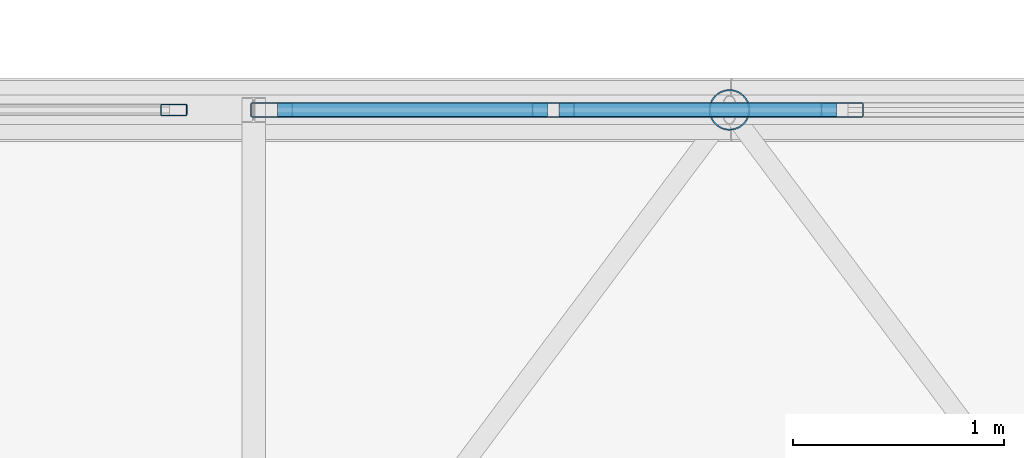
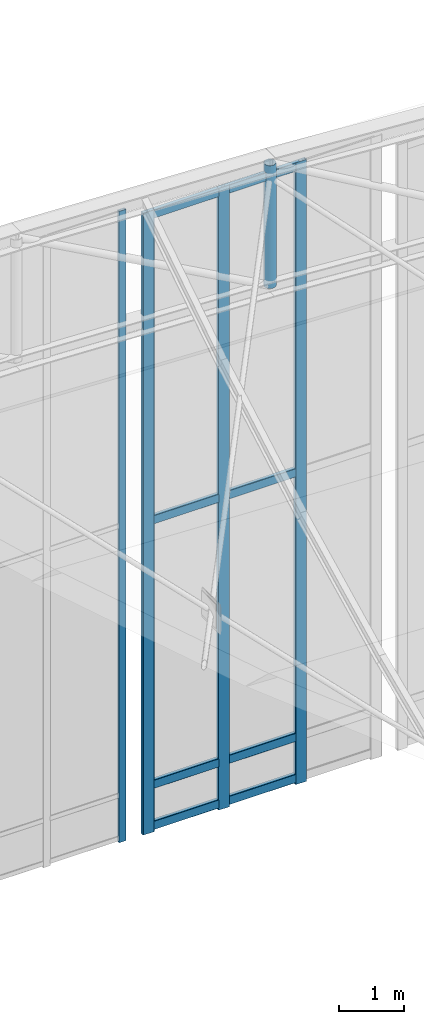
# One storey, part 198 of 262: 13 members, 2 elements without a shape of their own.
"""IFC4 building model written with IfcOpenShell, lengths in metres."""

import ifcopenshell
import ifcopenshell.guid

model = None  # the IFC model being written
_history = None  # IfcOwnerHistory: only IFC2X3 demands one
_inside = {}  # id of a spatial element -> (the spatial element, [elements in it])
_under = {}  # id of a project, library or spatial element -> (it, [spatial elements below it])
_declared = {}  # id of a project -> (the project, [libraries it declares])
_typed = {}  # id of a type object -> (the type object, [elements of that type])
_made_of = {}  # id of a material, layer set ... -> (it, [elements and type objects made of it])


def new_model(schema):
    """Start an empty IFC model of exactly this schema.

    Asked for "IFC4X3", IfcOpenShell would pick the latest addendum, in which some entities
    have other attributes; the version numbers below select the first issue.
    IFC2X3 requires an IfcOwnerHistory on every rooted entity: one is made here for all.
    """
    global model, _history
    if schema == "IFC4X3":
        model = ifcopenshell.file(schema_version=(4, 3, 0, 0))
    else:
        model = ifcopenshell.file(schema=schema)
    _inside.clear()
    _under.clear()
    _declared.clear()
    _typed.clear()
    _made_of.clear()
    _history = None
    if model.schema == "IFC2X3":
        org = make("IfcOrganization", Name="unknown")
        user = make(
            "IfcPersonAndOrganization",
            ThePerson=make("IfcPerson", FamilyName="unknown"),
            TheOrganization=org,
        )
        app = make(
            "IfcApplication",
            ApplicationDeveloper=org,
            Version="unknown",
            ApplicationFullName="unknown",
            ApplicationIdentifier="unknown",
        )
        _history = make(
            "IfcOwnerHistory",
            OwningUser=user,
            OwningApplication=app,
            ChangeAction="ADDED",
            CreationDate=0,
        )
    return model


def make(cls, **values):
    """One entity of the class cls with the attributes given. An attribute that is None is left unset."""
    return model.create_entity(
        cls, **{name: value for name, value in values.items() if value is not None}
    )


def rooted(cls, **values):
    """An entity with a GlobalId (a new one), such as an element, a storey or a relation."""
    return make(cls, GlobalId=ifcopenshell.guid.new(), OwnerHistory=_history, **values)


def si_unit(unit_type, name, prefix=None):
    """IfcSIUnit, for example si_unit("LENGTHUNIT", "METRE", prefix="MILLI")."""
    return make("IfcSIUnit", UnitType=unit_type, Prefix=prefix, Name=name)


def derived_unit(unit_type, elements):
    """IfcDerivedUnit: a product of units, each with its exponent."""
    return make(
        "IfcDerivedUnit",
        Elements=[
            make("IfcDerivedUnitElement", Unit=unit, Exponent=power)
            for unit, power in elements
        ],
        UnitType=unit_type,
    )


def assignment(units):
    """IfcUnitAssignment: the units of a project."""
    return None if units is None else make("IfcUnitAssignment", Units=units)


def point(xyz):
    """IfcCartesianPoint."""
    return None if xyz is None else make("IfcCartesianPoint", Coordinates=xyz)


def direction(xyz):
    """IfcDirection."""
    return None if xyz is None else make("IfcDirection", DirectionRatios=xyz)


def frame(location, z_axis=None, x_axis=None):
    """IfcAxis2Placement3D, a coordinate frame: its origin and axes. An axis left out is left unset."""
    return make(
        "IfcAxis2Placement3D",
        Location=point(location),
        Axis=direction(z_axis),
        RefDirection=direction(x_axis),
    )


def frame_2d(location, x_axis=None):
    """IfcAxis2Placement2D, a coordinate frame in the plane: its origin and x axis."""
    return make(
        "IfcAxis2Placement2D", Location=point(location), RefDirection=direction(x_axis)
    )


def origin():
    """The frame at (0, 0, 0) with its axes left unset."""
    return frame((0.0, 0.0, 0.0))


def origin_2d():
    """The frame at (0, 0) in the plane with its x axis left unset."""
    return frame_2d((0.0, 0.0))


def place(relative_to, where):
    """IfcLocalPlacement: puts the frame where relative to a parent placement (None: the world)."""
    return make(
        "IfcLocalPlacement", PlacementRelTo=relative_to, RelativePlacement=where
    )


def context(
    kind, dimensions, precision=None, world=None, true_north=None, identifier=None
):
    """IfcGeometricRepresentationContext, for example the 3D "Model" context."""
    return make(
        "IfcGeometricRepresentationContext",
        ContextIdentifier=identifier,
        ContextType=kind,
        CoordinateSpaceDimension=dimensions,
        Precision=precision,
        WorldCoordinateSystem=world,
        TrueNorth=true_north,
    )


def subcontext(parent, identifier, kind, view, scale=None):
    """IfcGeometricRepresentationSubContext, for example "Body" below "Model"."""
    return make(
        "IfcGeometricRepresentationSubContext",
        ContextIdentifier=identifier,
        ContextType=kind,
        ParentContext=parent,
        TargetScale=scale,
        TargetView=view,
    )


def project(units=None, contexts=None):
    """IfcProject with its units and contexts."""
    return rooted(
        "IfcProject",
        Name="project",
        RepresentationContexts=contexts,
        UnitsInContext=assignment(units),
    )


def spatial(cls, under=None, at=None, **own):
    """A site, building, storey or space (cls), placed at a placement, below another one or the project."""
    s = rooted(cls, ObjectPlacement=at, **own)
    if under is not None:
        _under.setdefault(under.id(), (under, []))[1].append(s)
    return s


def profile(cls, at=None, kind="AREA", **sizes):
    """A parametric profile (cls). Its sizes go by their IFC names, for example OverallWidth=200.0."""
    return make(cls, ProfileType=kind, Position=at, **sizes)


def hollow_rectangle(**sizes):
    """IfcRectangleHollowProfileDef."""
    return profile("IfcRectangleHollowProfileDef", **sizes)


def hollow_circle(**sizes):
    """IfcCircleHollowProfileDef."""
    return profile("IfcCircleHollowProfileDef", **sizes)


def extrude(swept, where, along, depth):
    """IfcExtrudedAreaSolid: the profile swept, set in the frame where, extruded along a direction by depth."""
    return make(
        "IfcExtrudedAreaSolid",
        SweptArea=swept,
        Position=where,
        ExtrudedDirection=direction(along),
        Depth=depth,
    )


def shape(context_of_items, identifier, shape_type, items):
    """IfcShapeRepresentation: the items that make up one representation, for example the "Body"."""
    return make(
        "IfcShapeRepresentation",
        ContextOfItems=context_of_items,
        RepresentationIdentifier=identifier,
        RepresentationType=shape_type,
        Items=items,
    )


def material(Name=None, Category=None):
    """IfcMaterial."""
    return make("IfcMaterial", Name=Name, Category=Category)


def layer(
    of_material, thickness, ventilated=None, Name=None, Category=None, Priority=None
):
    """IfcMaterialLayer: one layer of a wall or slab, of a material (None: an air gap)."""
    return make(
        "IfcMaterialLayer",
        Material=of_material,
        LayerThickness=thickness,
        IsVentilated=ventilated,
        Name=Name,
        Category=Category,
        Priority=Priority,
    )


def layer_set(layers, Name=None):
    """IfcMaterialLayerSet."""
    return make("IfcMaterialLayerSet", MaterialLayers=layers, LayerSetName=Name)


def material_profile(
    of_material, cross_section, Name=None, Category=None, Priority=None
):
    """IfcMaterialProfile: a cross section and its material."""
    return make(
        "IfcMaterialProfile",
        Name=Name,
        Material=of_material,
        Profile=cross_section,
        Priority=Priority,
        Category=Category,
    )


def profile_set(profiles, Name=None, composite=None):
    """IfcMaterialProfileSet."""
    return make(
        "IfcMaterialProfileSet",
        Name=Name,
        MaterialProfiles=profiles,
        CompositeProfile=composite,
    )


def made_of(thing, what):
    """Note that an element or type object is made of a material, layer set ...; save() writes the relation."""
    if what is not None:
        _made_of.setdefault(what.id(), (what, []))[1].append(thing)
    return thing


def type_object(cls, material=None, **own):
    """A type object (cls), such as IfcWallType, which elements share."""
    return made_of(rooted(cls, **own), material)


def element(
    cls,
    number,
    at=None,
    inside=None,
    cuts=None,
    type_object=None,
    material=None,
    context=None,
    identifier="Body",
    shape_type=None,
    held_by="IfcProductDefinitionShape",
    body=None,
    shapes=None,
    **own,
):
    """One element of the class cls, such as IfcWall. Its Tag is "e" and its number.

    at: its placement. inside: the storey or other place that contains it. cuts: it is an
    opening in that element (IfcRelVoidsElement). A single representation is given by context,
    identifier, shape_type and body (its items); several are given by shapes. held_by: the class
    of the entity that holds the representations. save() writes the other relations.
    """
    e = rooted(cls, Tag="e%d" % number, ObjectPlacement=at, **own)
    if body is not None:
        shapes = [shape(context, identifier, shape_type, body)]
    if shapes is not None:
        e.Representation = make(held_by, Representations=shapes)
    if inside is not None:
        _inside.setdefault(inside.id(), (inside, []))[1].append(e)
    if cuts is not None:
        rooted(
            "IfcRelVoidsElement", RelatingBuildingElement=cuts, RelatedOpeningElement=e
        )
    if type_object is not None:
        _typed.setdefault(type_object.id(), (type_object, []))[1].append(e)
    return made_of(e, material)


def aggregate(whole, parts):
    """IfcRelAggregates: a whole, such as a stair, and the parts it consists of."""
    return rooted("IfcRelAggregates", RelatingObject=whole, RelatedObjects=parts)


def save(model, path):
    """Write the relations noted so far, then the file.

    IfcRelAggregates (storeys below a building ...), IfcRelContainedInSpatialStructure (elements
    in a storey), IfcRelDefinesByType, IfcRelAssociatesMaterial and IfcRelDeclares: one each for
    every whole, place, type object, material and project.
    """
    for whole, parts in _under.values():
        aggregate(whole, parts)
    for where, things in _inside.values():
        rooted(
            "IfcRelContainedInSpatialStructure",
            RelatedElements=things,
            RelatingStructure=where,
        )
    for kind, things in _typed.values():
        rooted("IfcRelDefinesByType", RelatedObjects=things, RelatingType=kind)
    for what, things in _made_of.values():
        rooted("IfcRelAssociatesMaterial", RelatedObjects=things, RelatingMaterial=what)
    for by, libraries in _declared.values():
        rooted("IfcRelDeclares", RelatingContext=by, RelatedDefinitions=libraries)
    model.write(path)


model = new_model("IFC4")

# Units and contexts
model_context = context("Model", 3, precision=1e-05, world=origin(), true_north=direction((0.0, 1.0)))
body_context = subcontext(model_context, "Body", "Model", "MODEL_VIEW")
ifc_project = project(units=[si_unit("LENGTHUNIT", "METRE"), si_unit("AREAUNIT", "SQUARE_METRE"), si_unit("VOLUMEUNIT", "CUBIC_METRE"), si_unit("PLANEANGLEUNIT", "RADIAN"), si_unit("MASSUNIT", "GRAM", prefix="KILO"), derived_unit("THERMALTRANSMITTANCEUNIT", [(si_unit("POWERUNIT", "WATT"), 1), (si_unit("LENGTHUNIT", "METRE"), -2), (si_unit("THERMODYNAMICTEMPERATUREUNIT", "KELVIN"), -1)])], contexts=[model_context])

# Site, building, storey
site_placement = place(None, origin())
site = spatial("IfcSite", under=ifc_project, at=site_placement, CompositionType="ELEMENT")
building_placement = place(site_placement, origin())
building = spatial("IfcBuilding", under=site, at=building_placement, Name="Almenara Railside Exhibition Hall", CompositionType="ELEMENT")
storey_placement = place(building_placement, frame((0.0, 0.0, 21.699951171875)))
storey = spatial("IfcBuildingStorey", under=building, at=storey_placement, Name="RF", CompositionType="ELEMENT", Elevation=21.699951171875)

# Curtain wall, member
ifc_material_1 = material(Name="Bronze-anodised aluminium and low-E double glazing", Category="aluminium")
ifc_layer = layer(ifc_material_1, 0.179931640625, Name="Bronze-anodised aluminium and low-E double glazing")
ifc_layer_set = layer_set([ifc_layer], Name="Bronze-anodised aluminium and low-E double glazing")
curtain_wall_type = type_object("IfcCurtainWallType", Name="Scroll Gable Tall Curtain Wall 3800x5400", PredefinedType="NOTDEFINED", material=ifc_layer_set)
curtain_wall_1_placement = place(storey_placement, origin())
curtain_wall_1 = element("IfcCurtainWall", 1, at=curtain_wall_1_placement, inside=storey, type_object=curtain_wall_type, Name="Curtain wall CW-G1-211", PredefinedType="NOTDEFINED")
ifc_material_2 = material(Name="Bronze-anodised aluminium", Category="aluminium")
ifc_material_profile_1 = material_profile(ifc_material_2, hollow_rectangle(XDim=0.054931640625, YDim=0.125, WallThickness=0.0029296875, InnerFilletRadius=0.0029296875, OuterFilletRadius=0.006103515625, at=origin_2d()), Name="ALU-MUL 55x125x3")
ifc_profile_set_1 = profile_set([ifc_material_profile_1], Name="Bronze-anodised aluminium")
member_type_1 = type_object("IfcMemberType", Name="Curtain Wall Mullion 55x125x3", PredefinedType="MULLION", material=ifc_profile_set_1)
member_1_placement = place(storey_placement, frame((45.37255859375, 132.0, -0.93505859375), z_axis=(0.0, 0.0, 1.0), x_axis=(0.0, 1.0, 0.0)))
member_1 = element("IfcMember", 2, at=member_1_placement, type_object=member_type_1, Name="CW-G1-211 mullion 4", PredefinedType="MULLION", context=body_context, shape_type="SweptSolid", body=[
    extrude(hollow_rectangle(XDim=0.054931640625, YDim=0.125, WallThickness=0.0029296875, InnerFilletRadius=0.0029296875, OuterFilletRadius=0.006103515625, at=origin_2d()), origin(), (0.0, 0.0, 1.0), 11.8251953125),
])
aggregate(curtain_wall_1, [member_1])

# Curtain wall, members
curtain_wall_2_placement = place(storey_placement, origin())
curtain_wall_2 = element("IfcCurtainWall", 3, at=curtain_wall_2_placement, inside=storey, type_object=curtain_wall_type, Name="Curtain wall CW-G1-212", PredefinedType="NOTDEFINED")
ifc_material_profile_2 = material_profile(ifc_material_2, hollow_rectangle(XDim=0.070068359375, YDim=0.199951171875, WallThickness=0.00439453125, InnerFilletRadius=0.00439453125, OuterFilletRadius=0.009033203125, at=origin_2d()), Name="ALU-MUL 70x200x4.5")
ifc_profile_set_2 = profile_set([ifc_material_profile_2], Name="Bronze-anodised aluminium")
member_type_2 = type_object("IfcMemberType", Name="Curtain Wall Mullion 70x200x4.5", PredefinedType="MULLION", material=ifc_profile_set_2)
member_2_placement = place(storey_placement, frame((45.8349609375, 132.0, -0.93505859375), z_axis=(0.0, 0.0, 1.0), x_axis=(0.0, 1.0, 0.0)))
member_2 = element("IfcMember", 4, at=member_2_placement, type_object=member_type_2, Name="CW-G1-212 mullion 1", PredefinedType="MULLION", context=body_context, shape_type="SweptSolid", body=[
    extrude(hollow_rectangle(XDim=0.070068359375, YDim=0.199951171875, WallThickness=0.00439453125, InnerFilletRadius=0.00439453125, OuterFilletRadius=0.009033203125, at=origin_2d()), origin(), (0.0, 0.0, 1.0), 11.64501953125),
])
member_3_placement = place(storey_placement, frame((47.166748046875, 132.0, -0.93505859375), z_axis=(0.0, 0.0, 1.0), x_axis=(0.0, 1.0, 0.0)))
member_3 = element("IfcMember", 5, at=member_3_placement, type_object=member_type_2, Name="CW-G1-212 mullion 2", PredefinedType="MULLION", context=body_context, shape_type="SweptSolid", body=[
    extrude(hollow_rectangle(XDim=0.070068359375, YDim=0.199951171875, WallThickness=0.00439453125, InnerFilletRadius=0.00439453125, OuterFilletRadius=0.009033203125, at=origin_2d()), origin(), (0.0, 0.0, 1.0), 11.64501953125),
])
member_4_placement = place(storey_placement, frame((48.533447265625, 132.0, -0.93505859375), z_axis=(0.0, 0.0, 1.0), x_axis=(0.0, 1.0, 0.0)))
member_4 = element("IfcMember", 6, at=member_4_placement, type_object=member_type_2, Name="CW-G1-212 mullion 3", PredefinedType="MULLION", context=body_context, shape_type="SweptSolid", body=[
    extrude(hollow_rectangle(XDim=0.070068359375, YDim=0.199951171875, WallThickness=0.00439453125, InnerFilletRadius=0.00439453125, OuterFilletRadius=0.009033203125, at=origin_2d()), origin(), (0.0, 0.0, 1.0), 11.64501953125),
])
ifc_material_profile_3 = material_profile(ifc_material_2, hollow_rectangle(XDim=0.070068359375, YDim=0.159912109375, WallThickness=0.00390625, InnerFilletRadius=0.00390625, OuterFilletRadius=0.008056640625, at=origin_2d()), Name="ALU-TRN 70x160x4")
ifc_profile_set_3 = profile_set([ifc_material_profile_3], Name="Bronze-anodised aluminium")
member_type_3 = type_object("IfcMemberType", Name="Curtain Wall Transom 70x160x4", PredefinedType="USERDEFINED", material=ifc_profile_set_3)
member_5_placement = place(storey_placement, frame((45.862060546875, 132.0, -0.820068359375), z_axis=(1.0, 0.0, 0.0), x_axis=(0.0, 1.0, 0.0)))
member_5 = element("IfcMember", 7, at=member_5_placement, type_object=member_type_3, Name="CW-G1-212 transom 1.1", ObjectType="TRANSOM", PredefinedType="USERDEFINED", context=body_context, shape_type="SweptSolid", body=[
    extrude(hollow_rectangle(XDim=0.070068359375, YDim=0.159912109375, WallThickness=0.00390625, InnerFilletRadius=0.00390625, OuterFilletRadius=0.008056640625, at=origin_2d()), origin(), (0.0, 0.0, 1.0), 1.277587890625),
])
member_6_placement = place(storey_placement, frame((45.862060546875, 132.0, -0.050048828125), z_axis=(1.0, 0.0, 0.0), x_axis=(0.0, 1.0, 0.0)))
member_6 = element("IfcMember", 8, at=member_6_placement, type_object=member_type_3, Name="CW-G1-212 transom 1.2", ObjectType="TRANSOM", PredefinedType="USERDEFINED", context=body_context, shape_type="SweptSolid", body=[
    extrude(hollow_rectangle(XDim=0.070068359375, YDim=0.159912109375, WallThickness=0.00390625, InnerFilletRadius=0.00390625, OuterFilletRadius=0.008056640625, at=origin_2d()), origin(), (0.0, 0.0, 1.0), 1.277587890625),
])
member_7_placement = place(storey_placement, frame((45.862060546875, 132.0, 4.905029296875), z_axis=(1.0, 0.0, 0.0), x_axis=(0.0, 1.0, 0.0)))
member_7 = element("IfcMember", 9, at=member_7_placement, type_object=member_type_3, Name="CW-G1-212 transom 1.3", ObjectType="TRANSOM", PredefinedType="USERDEFINED", context=body_context, shape_type="SweptSolid", body=[
    extrude(hollow_rectangle(XDim=0.070068359375, YDim=0.159912109375, WallThickness=0.00390625, InnerFilletRadius=0.00390625, OuterFilletRadius=0.008056640625, at=origin_2d()), origin(), (0.0, 0.0, 1.0), 1.277587890625),
])
member_8_placement = place(storey_placement, frame((45.862060546875, 132.0, 10.630126953125), z_axis=(1.0, 0.0, 0.0), x_axis=(0.0, 1.0, 0.0)))
member_8 = element("IfcMember", 10, at=member_8_placement, type_object=member_type_3, Name="CW-G1-212 transom 1.4", ObjectType="TRANSOM", PredefinedType="USERDEFINED", context=body_context, shape_type="SweptSolid", body=[
    extrude(hollow_rectangle(XDim=0.070068359375, YDim=0.159912109375, WallThickness=0.00390625, InnerFilletRadius=0.00390625, OuterFilletRadius=0.008056640625, at=origin_2d()), origin(), (0.0, 0.0, 1.0), 1.277587890625),
])
member_9_placement = place(storey_placement, frame((47.193603515625, 132.0, -0.820068359375), z_axis=(1.0, 0.0, 0.0), x_axis=(0.0, 1.0, 0.0)))
member_9 = element("IfcMember", 11, at=member_9_placement, type_object=member_type_3, Name="CW-G1-212 transom 2.1", ObjectType="TRANSOM", PredefinedType="USERDEFINED", context=body_context, shape_type="SweptSolid", body=[
    extrude(hollow_rectangle(XDim=0.070068359375, YDim=0.159912109375, WallThickness=0.00390625, InnerFilletRadius=0.00390625, OuterFilletRadius=0.008056640625, at=origin_2d()), origin(), (0.0, 0.0, 1.0), 1.312744140625),
])
member_10_placement = place(storey_placement, frame((47.193603515625, 132.0, -0.050048828125), z_axis=(1.0, 0.0, 0.0), x_axis=(0.0, 1.0, 0.0)))
member_10 = element("IfcMember", 12, at=member_10_placement, type_object=member_type_3, Name="CW-G1-212 transom 2.2", ObjectType="TRANSOM", PredefinedType="USERDEFINED", context=body_context, shape_type="SweptSolid", body=[
    extrude(hollow_rectangle(XDim=0.070068359375, YDim=0.159912109375, WallThickness=0.00390625, InnerFilletRadius=0.00390625, OuterFilletRadius=0.008056640625, at=origin_2d()), origin(), (0.0, 0.0, 1.0), 1.312744140625),
])
member_11_placement = place(storey_placement, frame((47.193603515625, 132.0, 4.905029296875), z_axis=(1.0, 0.0, 0.0), x_axis=(0.0, 1.0, 0.0)))
member_11 = element("IfcMember", 13, at=member_11_placement, type_object=member_type_3, Name="CW-G1-212 transom 2.3", ObjectType="TRANSOM", PredefinedType="USERDEFINED", context=body_context, shape_type="SweptSolid", body=[
    extrude(hollow_rectangle(XDim=0.070068359375, YDim=0.159912109375, WallThickness=0.00390625, InnerFilletRadius=0.00390625, OuterFilletRadius=0.008056640625, at=origin_2d()), origin(), (0.0, 0.0, 1.0), 1.312744140625),
])
member_12_placement = place(storey_placement, frame((47.193603515625, 132.0, 10.630126953125), z_axis=(1.0, 0.0, 0.0), x_axis=(0.0, 1.0, 0.0)))
member_12 = element("IfcMember", 14, at=member_12_placement, type_object=member_type_3, Name="CW-G1-212 transom 2.4", ObjectType="TRANSOM", PredefinedType="USERDEFINED", context=body_context, shape_type="SweptSolid", body=[
    extrude(hollow_rectangle(XDim=0.070068359375, YDim=0.159912109375, WallThickness=0.00390625, InnerFilletRadius=0.00390625, OuterFilletRadius=0.008056640625, at=origin_2d()), origin(), (0.0, 0.0, 1.0), 1.312744140625),
])
aggregate(curtain_wall_2, [member_2, member_3, member_4, member_5, member_6, member_7, member_8, member_9, member_10, member_11, member_12])

# Member
ifc_material_3 = material(Name="Structural steel S355JR", Category="steel")
ifc_material_profile_4 = material_profile(ifc_material_3, hollow_circle(Radius=0.096923828125, WallThickness=0.00634765625, at=origin_2d()), Name="CHS 193.7x6.3")
ifc_profile_set_4 = profile_set([ifc_material_profile_4], Name="Structural steel S355JR")
member_type_4 = type_object("IfcMemberType", Name="Truss Standard Vertical Strut CHS 193.7x6.3 S355JR", PredefinedType="BRACE", material=ifc_profile_set_4)
member_13_placement = place(storey_placement, frame((48.0, 132.0, 8.5556640625), z_axis=(0.0, 0.0, 1.0), x_axis=(1.0, 0.0, 0.0)))
element("IfcMember", 15, at=member_13_placement, inside=storey, type_object=member_type_4, Name="MEM-TV-V1-07-08", PredefinedType="BRACE", context=body_context, shape_type="SweptSolid", body=[
    extrude(hollow_circle(Radius=0.096923828125, WallThickness=0.00634765625, at=origin_2d()), origin(), (0.0, 0.0, 1.0), 2.300048828125),
])

save(model, "model.ifc")
